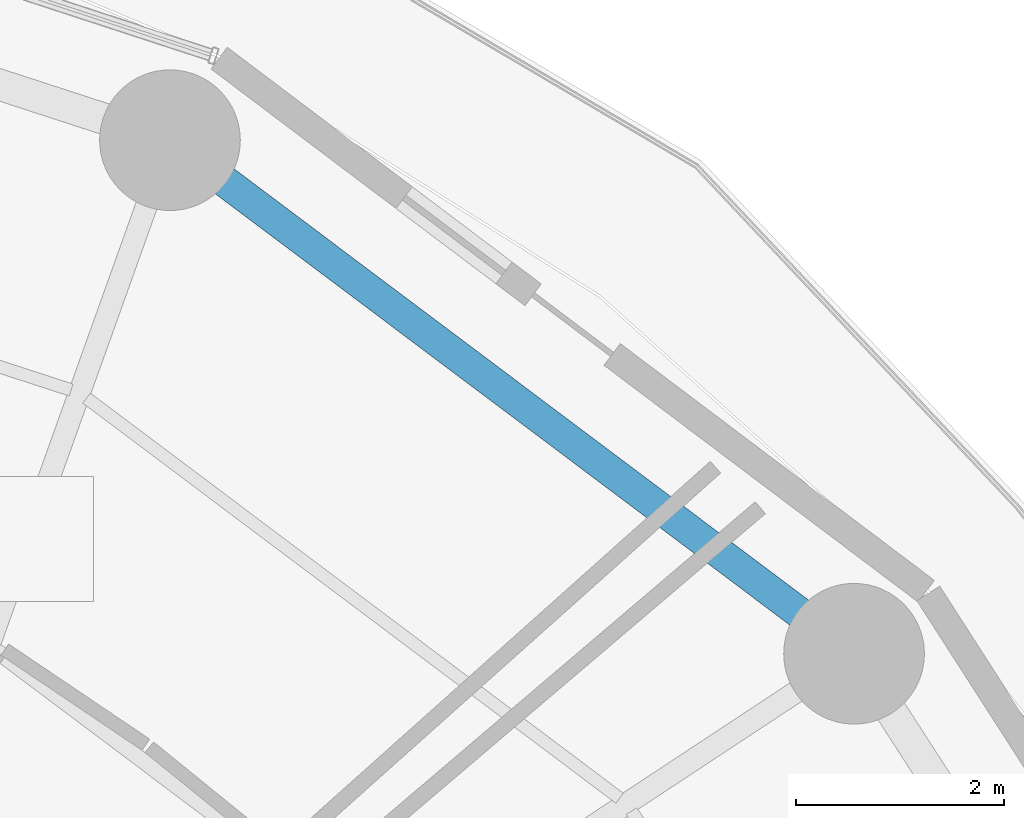
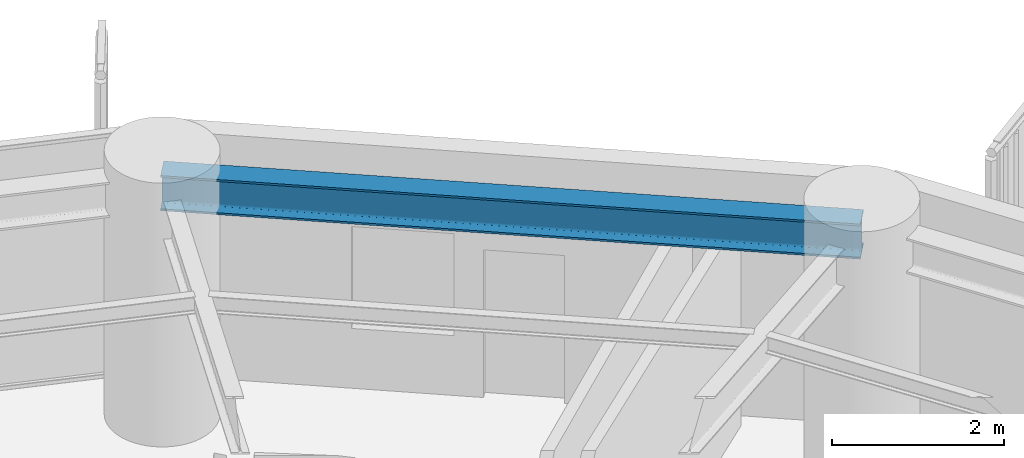
# One storey, part 26 of 37: 1 beam.
"""IFC4 building model written with IfcOpenShell, lengths in metres."""

import ifcopenshell
import ifcopenshell.guid

model = None  # the IFC model being written
_history = None  # IfcOwnerHistory: only IFC2X3 demands one
_inside = {}  # id of a spatial element -> (the spatial element, [elements in it])
_under = {}  # id of a project, library or spatial element -> (it, [spatial elements below it])
_declared = {}  # id of a project -> (the project, [libraries it declares])
_typed = {}  # id of a type object -> (the type object, [elements of that type])
_made_of = {}  # id of a material, layer set ... -> (it, [elements and type objects made of it])


def new_model(schema):
    """Start an empty IFC model of exactly this schema.

    Asked for "IFC4X3", IfcOpenShell would pick the latest addendum, in which some entities
    have other attributes; the version numbers below select the first issue.
    IFC2X3 requires an IfcOwnerHistory on every rooted entity: one is made here for all.
    """
    global model, _history
    if schema == "IFC4X3":
        model = ifcopenshell.file(schema_version=(4, 3, 0, 0))
    else:
        model = ifcopenshell.file(schema=schema)
    _inside.clear()
    _under.clear()
    _declared.clear()
    _typed.clear()
    _made_of.clear()
    _history = None
    if model.schema == "IFC2X3":
        org = make("IfcOrganization", Name="unknown")
        user = make(
            "IfcPersonAndOrganization",
            ThePerson=make("IfcPerson", FamilyName="unknown"),
            TheOrganization=org,
        )
        app = make(
            "IfcApplication",
            ApplicationDeveloper=org,
            Version="unknown",
            ApplicationFullName="unknown",
            ApplicationIdentifier="unknown",
        )
        _history = make(
            "IfcOwnerHistory",
            OwningUser=user,
            OwningApplication=app,
            ChangeAction="ADDED",
            CreationDate=0,
        )
    return model


def make(cls, **values):
    """One entity of the class cls with the attributes given. An attribute that is None is left unset."""
    return model.create_entity(
        cls, **{name: value for name, value in values.items() if value is not None}
    )


def rooted(cls, **values):
    """An entity with a GlobalId (a new one), such as an element, a storey or a relation."""
    return make(cls, GlobalId=ifcopenshell.guid.new(), OwnerHistory=_history, **values)


def si_unit(unit_type, name, prefix=None):
    """IfcSIUnit, for example si_unit("LENGTHUNIT", "METRE", prefix="MILLI")."""
    return make("IfcSIUnit", UnitType=unit_type, Prefix=prefix, Name=name)


def assignment(units):
    """IfcUnitAssignment: the units of a project."""
    return None if units is None else make("IfcUnitAssignment", Units=units)


def point(xyz):
    """IfcCartesianPoint."""
    return None if xyz is None else make("IfcCartesianPoint", Coordinates=xyz)


def direction(xyz):
    """IfcDirection."""
    return None if xyz is None else make("IfcDirection", DirectionRatios=xyz)


def frame(location, z_axis=None, x_axis=None):
    """IfcAxis2Placement3D, a coordinate frame: its origin and axes. An axis left out is left unset."""
    return make(
        "IfcAxis2Placement3D",
        Location=point(location),
        Axis=direction(z_axis),
        RefDirection=direction(x_axis),
    )


def frame_2d(location, x_axis=None):
    """IfcAxis2Placement2D, a coordinate frame in the plane: its origin and x axis."""
    return make(
        "IfcAxis2Placement2D", Location=point(location), RefDirection=direction(x_axis)
    )


def origin():
    """The frame at (0, 0, 0) with its axes left unset."""
    return frame((0.0, 0.0, 0.0))


def origin_2d():
    """The frame at (0, 0) in the plane with its x axis left unset."""
    return frame_2d((0.0, 0.0))


def place(relative_to, where):
    """IfcLocalPlacement: puts the frame where relative to a parent placement (None: the world)."""
    return make(
        "IfcLocalPlacement", PlacementRelTo=relative_to, RelativePlacement=where
    )


def context(
    kind, dimensions, precision=None, world=None, true_north=None, identifier=None
):
    """IfcGeometricRepresentationContext, for example the 3D "Model" context."""
    return make(
        "IfcGeometricRepresentationContext",
        ContextIdentifier=identifier,
        ContextType=kind,
        CoordinateSpaceDimension=dimensions,
        Precision=precision,
        WorldCoordinateSystem=world,
        TrueNorth=true_north,
    )


def subcontext(parent, identifier, kind, view, scale=None):
    """IfcGeometricRepresentationSubContext, for example "Body" below "Model"."""
    return make(
        "IfcGeometricRepresentationSubContext",
        ContextIdentifier=identifier,
        ContextType=kind,
        ParentContext=parent,
        TargetScale=scale,
        TargetView=view,
    )


def project(units=None, contexts=None):
    """IfcProject with its units and contexts."""
    return rooted(
        "IfcProject",
        Name="project",
        RepresentationContexts=contexts,
        UnitsInContext=assignment(units),
    )


def spatial(cls, under=None, at=None, **own):
    """A site, building, storey or space (cls), placed at a placement, below another one or the project."""
    s = rooted(cls, ObjectPlacement=at, **own)
    if under is not None:
        _under.setdefault(under.id(), (under, []))[1].append(s)
    return s


def profile(cls, at=None, kind="AREA", **sizes):
    """A parametric profile (cls). Its sizes go by their IFC names, for example OverallWidth=200.0."""
    return make(cls, ProfileType=kind, Position=at, **sizes)


def i_section(**sizes):
    """IfcIShapeProfileDef."""
    return profile("IfcIShapeProfileDef", **sizes)


def extrude(swept, where, along, depth):
    """IfcExtrudedAreaSolid: the profile swept, set in the frame where, extruded along a direction by depth."""
    return make(
        "IfcExtrudedAreaSolid",
        SweptArea=swept,
        Position=where,
        ExtrudedDirection=direction(along),
        Depth=depth,
    )


def shape(context_of_items, identifier, shape_type, items):
    """IfcShapeRepresentation: the items that make up one representation, for example the "Body"."""
    return make(
        "IfcShapeRepresentation",
        ContextOfItems=context_of_items,
        RepresentationIdentifier=identifier,
        RepresentationType=shape_type,
        Items=items,
    )


def material(Name=None, Category=None):
    """IfcMaterial."""
    return make("IfcMaterial", Name=Name, Category=Category)


def material_profile(
    of_material, cross_section, Name=None, Category=None, Priority=None
):
    """IfcMaterialProfile: a cross section and its material."""
    return make(
        "IfcMaterialProfile",
        Name=Name,
        Material=of_material,
        Profile=cross_section,
        Priority=Priority,
        Category=Category,
    )


def profile_set(profiles, Name=None, composite=None):
    """IfcMaterialProfileSet."""
    return make(
        "IfcMaterialProfileSet",
        Name=Name,
        MaterialProfiles=profiles,
        CompositeProfile=composite,
    )


def made_of(thing, what):
    """Note that an element or type object is made of a material, layer set ...; save() writes the relation."""
    if what is not None:
        _made_of.setdefault(what.id(), (what, []))[1].append(thing)
    return thing


def type_object(cls, material=None, **own):
    """A type object (cls), such as IfcWallType, which elements share."""
    return made_of(rooted(cls, **own), material)


def element(
    cls,
    number,
    at=None,
    inside=None,
    cuts=None,
    type_object=None,
    material=None,
    context=None,
    identifier="Body",
    shape_type=None,
    held_by="IfcProductDefinitionShape",
    body=None,
    shapes=None,
    **own,
):
    """One element of the class cls, such as IfcWall. Its Tag is "e" and its number.

    at: its placement. inside: the storey or other place that contains it. cuts: it is an
    opening in that element (IfcRelVoidsElement). A single representation is given by context,
    identifier, shape_type and body (its items); several are given by shapes. held_by: the class
    of the entity that holds the representations. save() writes the other relations.
    """
    e = rooted(cls, Tag="e%d" % number, ObjectPlacement=at, **own)
    if body is not None:
        shapes = [shape(context, identifier, shape_type, body)]
    if shapes is not None:
        e.Representation = make(held_by, Representations=shapes)
    if inside is not None:
        _inside.setdefault(inside.id(), (inside, []))[1].append(e)
    if cuts is not None:
        rooted(
            "IfcRelVoidsElement", RelatingBuildingElement=cuts, RelatedOpeningElement=e
        )
    if type_object is not None:
        _typed.setdefault(type_object.id(), (type_object, []))[1].append(e)
    return made_of(e, material)


def aggregate(whole, parts):
    """IfcRelAggregates: a whole, such as a stair, and the parts it consists of."""
    return rooted("IfcRelAggregates", RelatingObject=whole, RelatedObjects=parts)


def save(model, path):
    """Write the relations noted so far, then the file.

    IfcRelAggregates (storeys below a building ...), IfcRelContainedInSpatialStructure (elements
    in a storey), IfcRelDefinesByType, IfcRelAssociatesMaterial and IfcRelDeclares: one each for
    every whole, place, type object, material and project.
    """
    for whole, parts in _under.values():
        aggregate(whole, parts)
    for where, things in _inside.values():
        rooted(
            "IfcRelContainedInSpatialStructure",
            RelatedElements=things,
            RelatingStructure=where,
        )
    for kind, things in _typed.values():
        rooted("IfcRelDefinesByType", RelatedObjects=things, RelatingType=kind)
    for what, things in _made_of.values():
        rooted("IfcRelAssociatesMaterial", RelatedObjects=things, RelatingMaterial=what)
    for by, libraries in _declared.values():
        rooted("IfcRelDeclares", RelatingContext=by, RelatedDefinitions=libraries)
    model.write(path)


model = new_model("IFC4")

# Units and contexts
model_context = context("Model", 3, precision=1e-05, world=origin(), true_north=direction((0.0, 1.0)))
body_context = subcontext(model_context, "Body", "Model", "MODEL_VIEW")
ifc_project = project(units=[si_unit("LENGTHUNIT", "METRE"), si_unit("AREAUNIT", "SQUARE_METRE"), si_unit("VOLUMEUNIT", "CUBIC_METRE"), si_unit("PLANEANGLEUNIT", "RADIAN"), si_unit("MASSUNIT", "GRAM", prefix="KILO")], contexts=[model_context])

# Site, building, storey
site_placement = place(None, origin())
site = spatial("IfcSite", under=ifc_project, at=site_placement, CompositionType="ELEMENT")
building_placement = place(site_placement, origin())
building = spatial("IfcBuilding", under=site, at=building_placement, Name="Kelanora Arch Commons", CompositionType="ELEMENT")
storey_placement = place(building_placement, frame((0.0, 0.0, 113.85009765625)))
storey = spatial("IfcBuildingStorey", under=building, at=storey_placement, Name="L29", CompositionType="ELEMENT", Elevation=113.85009765625)

# Beam
ifc_material = material(Name="Steel S355", Category="steel")
ifc_material_profile = material_profile(ifc_material, i_section(OverallWidth=0.300048828125, OverallDepth=0.5, WebThickness=0.014404296875, FlangeThickness=0.028076171875, FilletRadius=0.027099609375, at=origin_2d()), Name="HEB500")
ifc_profile_set = profile_set([ifc_material_profile], Name="Steel S355")
beam_type = type_object("IfcBeamType", Name="BM-SPN-Z2", PredefinedType="SPANDREL", material=ifc_profile_set)
beam_placement = place(storey_placement, frame((92.906005859375, 72.19287109375, 3.239990234375), z_axis=(-0.799735861602, 0.600352023123, 0.0), x_axis=(-0.600352023123, -0.799735861602, 0.0)))
element("IfcBeam", 1, at=beam_placement, inside=storey, type_object=beam_type, Name="Perimeter Spandrel Beam BS-04 L29", PredefinedType="SPANDREL", context=body_context, shape_type="SweptSolid", body=[
    extrude(i_section(OverallWidth=0.300048828125, OverallDepth=0.5, WebThickness=0.014404296875, FlangeThickness=0.028076171875, FilletRadius=0.027099609375, at=origin_2d()), origin(), (0.0, 0.0, 1.0), 8.210205078125),
])

save(model, "model.ifc")
